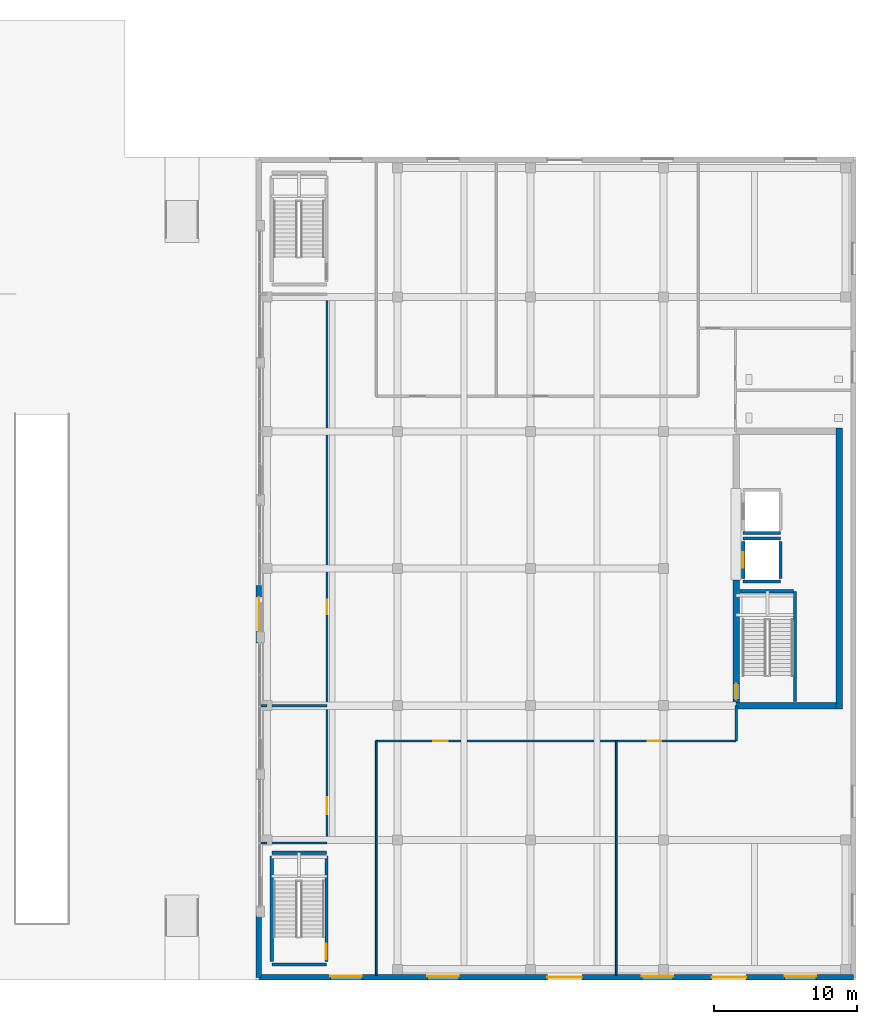
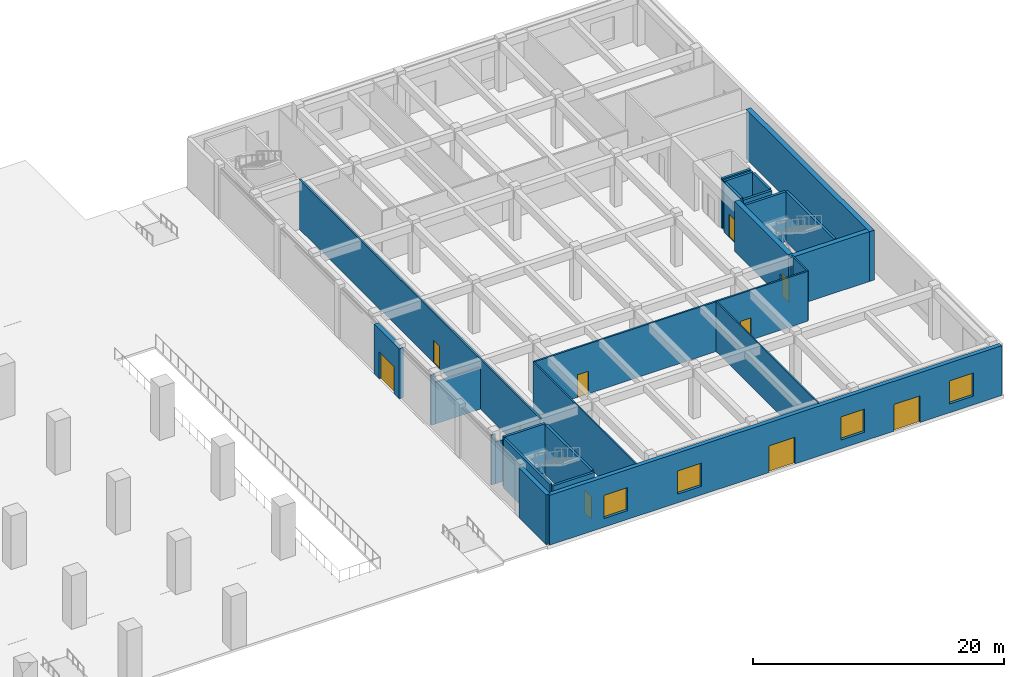
# One storey, part 6 of 24: 26 walls, 10 doors, 4 windows, 14 openings.
"""IFC4 building model written with IfcOpenShell, lengths in metres."""

import ifcopenshell
import ifcopenshell.guid

model = None  # the IFC model being written
_history = None  # IfcOwnerHistory: only IFC2X3 demands one
_inside = {}  # id of a spatial element -> (the spatial element, [elements in it])
_under = {}  # id of a project, library or spatial element -> (it, [spatial elements below it])
_declared = {}  # id of a project -> (the project, [libraries it declares])
_typed = {}  # id of a type object -> (the type object, [elements of that type])
_made_of = {}  # id of a material, layer set ... -> (it, [elements and type objects made of it])


def new_model(schema):
    """Start an empty IFC model of exactly this schema.

    Asked for "IFC4X3", IfcOpenShell would pick the latest addendum, in which some entities
    have other attributes; the version numbers below select the first issue.
    IFC2X3 requires an IfcOwnerHistory on every rooted entity: one is made here for all.
    """
    global model, _history
    if schema == "IFC4X3":
        model = ifcopenshell.file(schema_version=(4, 3, 0, 0))
    else:
        model = ifcopenshell.file(schema=schema)
    _inside.clear()
    _under.clear()
    _declared.clear()
    _typed.clear()
    _made_of.clear()
    _history = None
    if model.schema == "IFC2X3":
        org = make("IfcOrganization", Name="unknown")
        user = make(
            "IfcPersonAndOrganization",
            ThePerson=make("IfcPerson", FamilyName="unknown"),
            TheOrganization=org,
        )
        app = make(
            "IfcApplication",
            ApplicationDeveloper=org,
            Version="unknown",
            ApplicationFullName="unknown",
            ApplicationIdentifier="unknown",
        )
        _history = make(
            "IfcOwnerHistory",
            OwningUser=user,
            OwningApplication=app,
            ChangeAction="ADDED",
            CreationDate=0,
        )
    return model


def make(cls, **values):
    """One entity of the class cls with the attributes given. An attribute that is None is left unset."""
    return model.create_entity(
        cls, **{name: value for name, value in values.items() if value is not None}
    )


def rooted(cls, **values):
    """An entity with a GlobalId (a new one), such as an element, a storey or a relation."""
    return make(cls, GlobalId=ifcopenshell.guid.new(), OwnerHistory=_history, **values)


def si_unit(unit_type, name, prefix=None):
    """IfcSIUnit, for example si_unit("LENGTHUNIT", "METRE", prefix="MILLI")."""
    return make("IfcSIUnit", UnitType=unit_type, Prefix=prefix, Name=name)


def assignment(units):
    """IfcUnitAssignment: the units of a project."""
    return None if units is None else make("IfcUnitAssignment", Units=units)


def point(xyz):
    """IfcCartesianPoint."""
    return None if xyz is None else make("IfcCartesianPoint", Coordinates=xyz)


def direction(xyz):
    """IfcDirection."""
    return None if xyz is None else make("IfcDirection", DirectionRatios=xyz)


def frame(location, z_axis=None, x_axis=None):
    """IfcAxis2Placement3D, a coordinate frame: its origin and axes. An axis left out is left unset."""
    return make(
        "IfcAxis2Placement3D",
        Location=point(location),
        Axis=direction(z_axis),
        RefDirection=direction(x_axis),
    )


def frame_2d(location, x_axis=None):
    """IfcAxis2Placement2D, a coordinate frame in the plane: its origin and x axis."""
    return make(
        "IfcAxis2Placement2D", Location=point(location), RefDirection=direction(x_axis)
    )


def origin():
    """The frame at (0, 0, 0) with its axes left unset."""
    return frame((0.0, 0.0, 0.0))


def place(relative_to, where):
    """IfcLocalPlacement: puts the frame where relative to a parent placement (None: the world)."""
    return make(
        "IfcLocalPlacement", PlacementRelTo=relative_to, RelativePlacement=where
    )


def context(
    kind, dimensions, precision=None, world=None, true_north=None, identifier=None
):
    """IfcGeometricRepresentationContext, for example the 3D "Model" context."""
    return make(
        "IfcGeometricRepresentationContext",
        ContextIdentifier=identifier,
        ContextType=kind,
        CoordinateSpaceDimension=dimensions,
        Precision=precision,
        WorldCoordinateSystem=world,
        TrueNorth=true_north,
    )


def subcontext(parent, identifier, kind, view, scale=None):
    """IfcGeometricRepresentationSubContext, for example "Body" below "Model"."""
    return make(
        "IfcGeometricRepresentationSubContext",
        ContextIdentifier=identifier,
        ContextType=kind,
        ParentContext=parent,
        TargetScale=scale,
        TargetView=view,
    )


def project(units=None, contexts=None):
    """IfcProject with its units and contexts."""
    return rooted(
        "IfcProject",
        Name="project",
        RepresentationContexts=contexts,
        UnitsInContext=assignment(units),
    )


def spatial(cls, under=None, at=None, **own):
    """A site, building, storey or space (cls), placed at a placement, below another one or the project."""
    s = rooted(cls, ObjectPlacement=at, **own)
    if under is not None:
        _under.setdefault(under.id(), (under, []))[1].append(s)
    return s


def profile(cls, at=None, kind="AREA", **sizes):
    """A parametric profile (cls). Its sizes go by their IFC names, for example OverallWidth=200.0."""
    return make(cls, ProfileType=kind, Position=at, **sizes)


def rectangle(**sizes):
    """IfcRectangleProfileDef."""
    return profile("IfcRectangleProfileDef", **sizes)


def extrude(swept, where, along, depth):
    """IfcExtrudedAreaSolid: the profile swept, set in the frame where, extruded along a direction by depth."""
    return make(
        "IfcExtrudedAreaSolid",
        SweptArea=swept,
        Position=where,
        ExtrudedDirection=direction(along),
        Depth=depth,
    )


def shape(context_of_items, identifier, shape_type, items):
    """IfcShapeRepresentation: the items that make up one representation, for example the "Body"."""
    return make(
        "IfcShapeRepresentation",
        ContextOfItems=context_of_items,
        RepresentationIdentifier=identifier,
        RepresentationType=shape_type,
        Items=items,
    )


def material(Name=None, Category=None):
    """IfcMaterial."""
    return make("IfcMaterial", Name=Name, Category=Category)


def layer(
    of_material, thickness, ventilated=None, Name=None, Category=None, Priority=None
):
    """IfcMaterialLayer: one layer of a wall or slab, of a material (None: an air gap)."""
    return make(
        "IfcMaterialLayer",
        Material=of_material,
        LayerThickness=thickness,
        IsVentilated=ventilated,
        Name=Name,
        Category=Category,
        Priority=Priority,
    )


def layer_set(layers, Name=None):
    """IfcMaterialLayerSet."""
    return make("IfcMaterialLayerSet", MaterialLayers=layers, LayerSetName=Name)


def made_of(thing, what):
    """Note that an element or type object is made of a material, layer set ...; save() writes the relation."""
    if what is not None:
        _made_of.setdefault(what.id(), (what, []))[1].append(thing)
    return thing


def type_object(cls, material=None, **own):
    """A type object (cls), such as IfcWallType, which elements share."""
    return made_of(rooted(cls, **own), material)


def element(
    cls,
    number,
    at=None,
    inside=None,
    cuts=None,
    type_object=None,
    material=None,
    context=None,
    identifier="Body",
    shape_type=None,
    held_by="IfcProductDefinitionShape",
    body=None,
    shapes=None,
    **own,
):
    """One element of the class cls, such as IfcWall. Its Tag is "e" and its number.

    at: its placement. inside: the storey or other place that contains it. cuts: it is an
    opening in that element (IfcRelVoidsElement). A single representation is given by context,
    identifier, shape_type and body (its items); several are given by shapes. held_by: the class
    of the entity that holds the representations. save() writes the other relations.
    """
    e = rooted(cls, Tag="e%d" % number, ObjectPlacement=at, **own)
    if body is not None:
        shapes = [shape(context, identifier, shape_type, body)]
    if shapes is not None:
        e.Representation = make(held_by, Representations=shapes)
    if inside is not None:
        _inside.setdefault(inside.id(), (inside, []))[1].append(e)
    if cuts is not None:
        rooted(
            "IfcRelVoidsElement", RelatingBuildingElement=cuts, RelatedOpeningElement=e
        )
    if type_object is not None:
        _typed.setdefault(type_object.id(), (type_object, []))[1].append(e)
    return made_of(e, material)


def fill(opening, filler):
    """IfcRelFillsElement: the door or window that sits in an opening."""
    return rooted(
        "IfcRelFillsElement",
        RelatingOpeningElement=opening,
        RelatedBuildingElement=filler,
    )


def aggregate(whole, parts):
    """IfcRelAggregates: a whole, such as a stair, and the parts it consists of."""
    return rooted("IfcRelAggregates", RelatingObject=whole, RelatedObjects=parts)


def save(model, path):
    """Write the relations noted so far, then the file.

    IfcRelAggregates (storeys below a building ...), IfcRelContainedInSpatialStructure (elements
    in a storey), IfcRelDefinesByType, IfcRelAssociatesMaterial and IfcRelDeclares: one each for
    every whole, place, type object, material and project.
    """
    for whole, parts in _under.values():
        aggregate(whole, parts)
    for where, things in _inside.values():
        rooted(
            "IfcRelContainedInSpatialStructure",
            RelatedElements=things,
            RelatingStructure=where,
        )
    for kind, things in _typed.values():
        rooted("IfcRelDefinesByType", RelatedObjects=things, RelatingType=kind)
    for what, things in _made_of.values():
        rooted("IfcRelAssociatesMaterial", RelatedObjects=things, RelatingMaterial=what)
    for by, libraries in _declared.values():
        rooted("IfcRelDeclares", RelatingContext=by, RelatedDefinitions=libraries)
    model.write(path)


model = new_model("IFC4")

# Units and contexts
model_context = context("Model", 3, precision=1e-05, world=origin(), true_north=direction((0.0, 1.0)))
body_context = subcontext(model_context, "Body", "Model", "MODEL_VIEW")
ifc_project = project(units=[si_unit("LENGTHUNIT", "METRE"), si_unit("AREAUNIT", "SQUARE_METRE"), si_unit("VOLUMEUNIT", "CUBIC_METRE"), si_unit("PLANEANGLEUNIT", "RADIAN"), si_unit("MASSUNIT", "GRAM", prefix="KILO")], contexts=[model_context])

# Site, building, storey
site_placement = place(None, origin())
site = spatial("IfcSite", under=ifc_project, at=site_placement, CompositionType="ELEMENT")
building_placement = place(site_placement, origin())
building = spatial("IfcBuilding", under=site, at=building_placement, Name="Norrvale University Quadrangle", CompositionType="ELEMENT")
storey_placement = place(building_placement, origin())
storey = spatial("IfcBuildingStorey", under=building, at=storey_placement, Name="L00", CompositionType="ELEMENT", Elevation=0.0)

# Walls
ifc_material_1 = material(Name="Standard Academic Gypsum Partition")
ifc_layer_1 = layer(ifc_material_1, 0.125, Name="Standard Academic Gypsum Partition")
ifc_layer_set_1 = layer_set([ifc_layer_1], Name="Standard Academic Gypsum Partition")
wall_type_1 = type_object("IfcWallType", Name="Wall Gypsum Academic 125", PredefinedType="PARTITIONING", material=ifc_layer_set_1)
for number, where, z_axis, x_axis, name in (
    (1, (93.60009765625, 0.35009765625, 0.0), (0.0, 0.0, 1.0), (0.0, 1.0, 0.0), "Interior Partition WL-L00-LSS-W"),
    (2, (110.39990234375, 0.35009765625, 0.0), (0.0, 0.0, 1.0), (0.0, 1.0, 0.0), "Interior Partition WL-L00-LSS-M"),
):
    element("IfcWall", number, at=place(storey_placement, frame(where, z_axis=z_axis, x_axis=x_axis)), inside=storey, type_object=wall_type_1, Name=name, PredefinedType="PARTITIONING", context=body_context, shape_type="SweptSolid", body=[
        extrude(rectangle(XDim=16.389892578125, YDim=0.125, at=frame_2d((8.19482421875, 0.0))), origin(), (0.0, 0.0, 1.0), 4.85009765625),
    ])
ifc_material_2 = material(Name="Fire-Rated Gypsum Stud Partition")
ifc_layer_2 = layer(ifc_material_2, 0.14990234375, Name="Fire-Rated Gypsum Stud Partition")
ifc_layer_set_2 = layer_set([ifc_layer_2], Name="Fire-Rated Gypsum Stud Partition")
wall_type_2 = type_object("IfcWallType", Name="Wall Gypsum Corridor 150", PredefinedType="PARTITIONING", material=ifc_layer_set_2)
wall_1_placement = place(storey_placement, frame((85.550048828125, 9.60009765625, 0.0), z_axis=(0.0, 0.0, 1.0), x_axis=(1.0, 0.0, 0.0)))
element("IfcWall", 3, at=wall_1_placement, inside=storey, type_object=wall_type_2, Name="Interior Partition WL-L00-CACF-S", PredefinedType="PARTITIONING", context=body_context, shape_type="SweptSolid", body=[
    extrude(rectangle(XDim=0.39990234375, YDim=0.14990234375, at=frame_2d((0.199951171875, 0.0))), origin(), (0.0, 0.0, 1.0), 4.85009765625),
])
wall_2_placement = place(storey_placement, frame((85.949951171875, 9.60009765625, 0.0), z_axis=(0.0, 0.0, 1.0), x_axis=(1.0, 0.0, 0.0)))
element("IfcWall", 4, at=wall_2_placement, inside=storey, type_object=wall_type_2, Name="Interior Partition WL-L00-CACF-S-B2", PredefinedType="PARTITIONING", context=body_context, shape_type="SweptSolid", body=[
    extrude(rectangle(XDim=4.199951171875, YDim=0.14990234375, at=frame_2d((2.10009765625, 0.0))), origin(), (0.0, 0.0, 1.0), 4.050048828125),
])
wall_3_placement = place(storey_placement, frame((85.550048828125, 19.199951171875, 0.0), z_axis=(0.0, 0.0, 1.0), x_axis=(1.0, 0.0, 0.0)))
element("IfcWall", 5, at=wall_3_placement, inside=storey, type_object=wall_type_2, Name="Interior Partition WL-L00-CACF-N", PredefinedType="PARTITIONING", context=body_context, shape_type="SweptSolid", body=[
    extrude(rectangle(XDim=0.39990234375, YDim=0.14990234375, at=frame_2d((0.199951171875, 0.0))), origin(), (0.0, 0.0, 1.0), 4.85009765625),
])
wall_4_placement = place(storey_placement, frame((85.949951171875, 19.199951171875, 0.0), z_axis=(0.0, 0.0, 1.0), x_axis=(1.0, 0.0, 0.0)))
element("IfcWall", 6, at=wall_4_placement, inside=storey, type_object=wall_type_2, Name="Interior Partition WL-L00-CACF-N-B2", PredefinedType="PARTITIONING", context=body_context, shape_type="SweptSolid", body=[
    extrude(rectangle(XDim=4.199951171875, YDim=0.14990234375, at=frame_2d((2.10009765625, 0.0))), origin(), (0.0, 0.0, 1.0), 4.050048828125),
])

# Wall, openings, doors
wall_5_placement = place(storey_placement, frame((90.14990234375, 9.60009765625, 0.0), z_axis=(0.0, 0.0, 1.0), x_axis=(0.0, 1.0, 0.0)))
wall_5 = element("IfcWall", 7, at=wall_5_placement, inside=storey, type_object=wall_type_2, Name="Interior Partition WL-L00-WCOL", PredefinedType="PARTITIONING", context=body_context, shape_type="SweptSolid", body=[
    extrude(rectangle(XDim=38.39990234375, YDim=0.14990234375, at=frame_2d((19.199951171875, 0.0))), origin(), (0.0, 0.0, 1.0), 4.85009765625),
])
opening_1_placement = place(wall_5_placement, frame((2.0, 0.0, 0.0)))
opening_1 = element("IfcOpeningElement", 8, at=opening_1_placement, cuts=wall_5, Name="Opening D05", PredefinedType="OPENING", context=body_context, shape_type="SweptSolid", body=[
    extrude(rectangle(XDim=1.199951171875, YDim=2.199951171875, at=frame_2d((0.60009765625, 1.10009765625))), frame((0.0, 0.0869140625, 0.0), z_axis=(0.0, -1.0, 0.0), x_axis=(1.0, 0.0, 0.0)), (0.0, 0.0, 1.0), 0.173828125),
])
opening_2_placement = place(wall_5_placement, frame((16.0, 0.0, 0.0)))
opening_2 = element("IfcOpeningElement", 9, at=opening_2_placement, cuts=wall_5, Name="Opening D04", PredefinedType="OPENING", context=body_context, shape_type="SweptSolid", body=[
    extrude(rectangle(XDim=1.0, YDim=2.199951171875, at=frame_2d((0.5, 1.10009765625))), frame((0.0, 0.0869140625, 0.0), z_axis=(0.0, -1.0, 0.0), x_axis=(1.0, 0.0, 0.0)), (0.0, 0.0, 1.0), 0.173828125),
])
ifc_material_3 = material(Name="Acoustic Oak Classroom Door", Category="wood")
door_type_1 = type_object("IfcDoorType", Name="Door Classroom 1200x2200", OperationType="NOTDEFINED", PredefinedType="DOOR", material=ifc_material_3)
door_1_placement = place(opening_1_placement, origin())
door_1 = element("IfcDoor", 10, at=door_1_placement, inside=storey, type_object=door_type_1, Name="Door Classroom 1200x2200 DR-L00-CACF", OperationType="SINGLE_SWING_LEFT", OverallHeight=2.199951171875, OverallWidth=1.199951171875, PredefinedType="DOOR", context=body_context, shape_type="SweptSolid", body=[
    extrude(rectangle(XDim=1.199951171875, YDim=2.199951171875, at=frame_2d((0.60009765625, 1.10009765625))), frame((0.0, 0.02490234375, 0.0), z_axis=(0.0, -1.0, 0.0), x_axis=(1.0, 0.0, 0.0)), (0.0, 0.0, 1.0), 0.050048828125),
])
fill(opening_1, door_1)
ifc_material_4 = material(Name="Solid-Core Oak Fire Door", Category="wood")
door_type_2 = type_object("IfcDoorType", Name="Door Corridor 1000x2200", OperationType="NOTDEFINED", PredefinedType="DOOR", material=ifc_material_4)
door_2_placement = place(opening_2_placement, origin())
door_2 = element("IfcDoor", 11, at=door_2_placement, inside=storey, type_object=door_type_2, Name="Door Corridor 1000x2200 DR-L00-CIRC", OperationType="SINGLE_SWING_RIGHT", OverallHeight=2.199951171875, OverallWidth=1.0, PredefinedType="DOOR", context=body_context, shape_type="SweptSolid", body=[
    extrude(rectangle(XDim=1.0, YDim=2.199951171875, at=frame_2d((0.5, 1.10009765625))), frame((0.0, 0.02490234375, 0.0), z_axis=(0.0, -1.0, 0.0), x_axis=(1.0, 0.0, 0.0)), (0.0, 0.0, 1.0), 0.050048828125),
])
fill(opening_2, door_2)

# Wall
wall_6_placement = place(storey_placement, frame((118.800048828125, 16.739990234375, 0.0), z_axis=(0.0, 0.0, 1.0), x_axis=(0.0, 1.0, 0.0)))
element("IfcWall", 12, at=wall_6_placement, inside=storey, type_object=wall_type_2, Name="Interior Partition WL-L00-LSS-E", PredefinedType="PARTITIONING", context=body_context, shape_type="SweptSolid", body=[
    extrude(rectangle(XDim=2.4599609375, YDim=0.14990234375, at=frame_2d((1.22998046875, 0.0))), origin(), (0.0, 0.0, 1.0), 4.85009765625),
])

# Wall, openings, doors
wall_7_placement = place(storey_placement, frame((93.60009765625, 16.739990234375, 0.0), z_axis=(0.0, 0.0, 1.0), x_axis=(1.0, 0.0, 0.0)))
wall_7 = element("IfcWall", 13, at=wall_7_placement, inside=storey, type_object=wall_type_2, Name="Interior Partition WL-L00-LSS-N", PredefinedType="PARTITIONING", context=body_context, shape_type="SweptSolid", body=[
    extrude(rectangle(XDim=25.199951171875, YDim=0.14990234375, at=frame_2d((12.60009765625, 0.0))), origin(), (0.0, 0.0, 1.0), 4.85009765625),
])
opening_3_placement = place(wall_7_placement, frame((4.0, 0.0, 0.0)))
opening_3 = element("IfcOpeningElement", 14, at=opening_3_placement, cuts=wall_7, Name="Opening D04", PredefinedType="OPENING", context=body_context, shape_type="SweptSolid", body=[
    extrude(rectangle(XDim=1.0, YDim=2.199951171875, at=frame_2d((0.5, 1.10009765625))), frame((0.0, 0.0869140625, 0.0), z_axis=(0.0, -1.0, 0.0), x_axis=(1.0, 0.0, 0.0)), (0.0, 0.0, 1.0), 0.173828125),
])
opening_4_placement = place(wall_7_placement, frame((19.0, 0.0, 0.0)))
opening_4 = element("IfcOpeningElement", 15, at=opening_4_placement, cuts=wall_7, Name="Opening D07", PredefinedType="OPENING", context=body_context, shape_type="SweptSolid", body=[
    extrude(rectangle(XDim=0.949951171875, YDim=2.14990234375, at=frame_2d((0.47509765625, 1.074951171875))), frame((0.0, 0.0869140625, 0.0), z_axis=(0.0, -1.0, 0.0), x_axis=(1.0, 0.0, 0.0)), (0.0, 0.0, 1.0), 0.173828125),
])
door_3_placement = place(opening_3_placement, origin())
door_3 = element("IfcDoor", 16, at=door_3_placement, inside=storey, type_object=door_type_2, Name="Door Corridor 1000x2200 DR-L00-LS1", OperationType="SINGLE_SWING_LEFT", OverallHeight=2.199951171875, OverallWidth=1.0, PredefinedType="DOOR", context=body_context, shape_type="SweptSolid", body=[
    extrude(rectangle(XDim=1.0, YDim=2.199951171875, at=frame_2d((0.5, 1.10009765625))), frame((0.0, 0.02490234375, 0.0), z_axis=(0.0, -1.0, 0.0), x_axis=(1.0, 0.0, 0.0)), (0.0, 0.0, 1.0), 0.050048828125),
])
fill(opening_3, door_3)
ifc_material_5 = material(Name="Solid-Core Maple Door", Category="wood")
door_type_3 = type_object("IfcDoorType", Name="Door Office 950x2150", OperationType="NOTDEFINED", PredefinedType="DOOR", material=ifc_material_5)
door_4_placement = place(opening_4_placement, origin())
door_4 = element("IfcDoor", 17, at=door_4_placement, inside=storey, type_object=door_type_3, Name="Door Office 950x2150 DR-L00-LS2", OperationType="SINGLE_SWING_RIGHT", OverallHeight=2.14990234375, OverallWidth=0.949951171875, PredefinedType="DOOR", context=body_context, shape_type="SweptSolid", body=[
    extrude(rectangle(XDim=0.949951171875, YDim=2.14990234375, at=frame_2d((0.47509765625, 1.074951171875))), frame((0.0, 0.02490234375, 0.0), z_axis=(0.0, -1.0, 0.0), x_axis=(1.0, 0.0, 0.0)), (0.0, 0.0, 1.0), 0.050048828125),
])
fill(opening_4, door_4)

# Wall, openings, doors, windows
ifc_material_6 = material(Name="Buff Norman Clay Brick Masonry", Category="masonry")
ifc_layer_3 = layer(ifc_material_6, 0.3798828125, Name="Buff Norman Clay Brick Masonry")
ifc_layer_set_3 = layer_set([ifc_layer_3], Name="Buff Norman Clay Brick Masonry")
wall_type_3 = type_object("IfcWallType", Name="Wall Lib Brick 380", PredefinedType="SOLIDWALL", material=ifc_layer_set_3)
wall_8_placement = place(storey_placement, frame((85.389892578125, 0.18994140625, 0.0), z_axis=(0.0, 0.0, 1.0), x_axis=(1.0, 0.0, 0.0)))
wall_8 = element("IfcWall", 18, at=wall_8_placement, inside=storey, type_object=wall_type_3, Name="Central Library South Brick Facade L00", PredefinedType="SOLIDWALL", context=body_context, shape_type="SweptSolid", body=[
    extrude(rectangle(XDim=41.6201171875, YDim=0.3798828125, at=frame_2d((20.81005859375, 0.0))), origin(), (0.0, 0.0, 1.0), 4.85009765625),
])
opening_5_placement = place(wall_8_placement, frame((5.0, 0.0, 0.85009765625)))
opening_5 = element("IfcOpeningElement", 19, at=opening_5_placement, cuts=wall_8, Name="Opening W06", PredefinedType="OPENING", context=body_context, shape_type="SweptSolid", body=[
    extrude(rectangle(XDim=2.199951171875, YDim=2.25, at=frame_2d((1.10009765625, 1.125))), frame((0.0, 0.201904296875, 0.0), z_axis=(0.0, -1.0, 0.0), x_axis=(1.0, 0.0, 0.0)), (0.0, 0.0, 1.0), 0.40380859375),
])
opening_6_placement = place(wall_8_placement, frame((11.800048828125, 0.0, 0.85009765625)))
opening_6 = element("IfcOpeningElement", 20, at=opening_6_placement, cuts=wall_8, Name="Opening W06", PredefinedType="OPENING", context=body_context, shape_type="SweptSolid", body=[
    extrude(rectangle(XDim=2.199951171875, YDim=2.25, at=frame_2d((1.10009765625, 1.125))), frame((0.0, 0.201904296875, 0.0), z_axis=(0.0, -1.0, 0.0), x_axis=(1.0, 0.0, 0.0)), (0.0, 0.0, 1.0), 0.40380859375),
])
opening_7_placement = place(wall_8_placement, frame((20.199951171875, 0.0, 0.0)))
opening_7 = element("IfcOpeningElement", 21, at=opening_7_placement, cuts=wall_8, Name="Opening D01", PredefinedType="OPENING", context=body_context, shape_type="SweptSolid", body=[
    extrude(rectangle(XDim=2.39990234375, YDim=2.60009765625, at=frame_2d((1.199951171875, 1.300048828125))), frame((0.0, 0.201904296875, 0.0), z_axis=(0.0, -1.0, 0.0), x_axis=(1.0, 0.0, 0.0)), (0.0, 0.0, 1.0), 0.40380859375),
])
opening_8_placement = place(wall_8_placement, frame((26.800048828125, 0.0, 0.85009765625)))
opening_8 = element("IfcOpeningElement", 22, at=opening_8_placement, cuts=wall_8, Name="Opening W06", PredefinedType="OPENING", context=body_context, shape_type="SweptSolid", body=[
    extrude(rectangle(XDim=2.199951171875, YDim=2.25, at=frame_2d((1.10009765625, 1.125))), frame((0.0, 0.201904296875, 0.0), z_axis=(0.0, -1.0, 0.0), x_axis=(1.0, 0.0, 0.0)), (0.0, 0.0, 1.0), 0.40380859375),
])
opening_9_placement = place(wall_8_placement, frame((36.800048828125, 0.0, 0.85009765625)))
opening_9 = element("IfcOpeningElement", 23, at=opening_9_placement, cuts=wall_8, Name="Opening W06", PredefinedType="OPENING", context=body_context, shape_type="SweptSolid", body=[
    extrude(rectangle(XDim=2.199951171875, YDim=2.25, at=frame_2d((1.10009765625, 1.125))), frame((0.0, 0.201904296875, 0.0), z_axis=(0.0, -1.0, 0.0), x_axis=(1.0, 0.0, 0.0)), (0.0, 0.0, 1.0), 0.40380859375),
])
opening_10_placement = place(wall_8_placement, frame((31.699951171875, 0.0, 0.0)))
opening_10 = element("IfcOpeningElement", 24, at=opening_10_placement, cuts=wall_8, Name="Opening D01", PredefinedType="OPENING", context=body_context, shape_type="SweptSolid", body=[
    extrude(rectangle(XDim=2.39990234375, YDim=2.60009765625, at=frame_2d((1.199951171875, 1.300048828125))), frame((0.0, 0.201904296875, 0.0), z_axis=(0.0, -1.0, 0.0), x_axis=(1.0, 0.0, 0.0)), (0.0, 0.0, 1.0), 0.40380859375),
])
ifc_material_7 = material(Name="Anodized Aluminium Glazed Door", Category="aluminium")
door_type_4 = type_object("IfcDoorType", Name="Door Main Entry 2400x2600", OperationType="DOUBLE_SWING_LEFT", PredefinedType="DOOR", material=ifc_material_7)
door_5_placement = place(opening_7_placement, frame((2.39990234375, 0.0, 0.0), z_axis=(0.0, 0.0, 1.0), x_axis=(-1.0, 0.0, 0.0)))
door_5 = element("IfcDoor", 25, at=door_5_placement, inside=storey, type_object=door_type_4, Name="Door Main Entry 2400x2600 DR-L00-LIBS", OperationType="DOUBLE_SWING_LEFT", OverallHeight=2.60009765625, OverallWidth=2.39990234375, PredefinedType="DOOR", context=body_context, shape_type="SweptSolid", body=[
    extrude(rectangle(XDim=2.39990234375, YDim=2.60009765625, at=frame_2d((1.199951171875, 1.300048828125))), frame((0.0, 0.02490234375, 0.0), z_axis=(0.0, -1.0, 0.0), x_axis=(1.0, 0.0, 0.0)), (0.0, 0.0, 1.0), 0.050048828125),
])
fill(opening_7, door_5)
door_6_placement = place(opening_10_placement, frame((2.39990234375, 0.0, 0.0), z_axis=(0.0, 0.0, 1.0), x_axis=(-1.0, 0.0, 0.0)))
door_6 = element("IfcDoor", 26, at=door_6_placement, inside=storey, type_object=door_type_4, Name="Door Main Entry 2400x2600 DR-L00-LIBS2", OperationType="DOUBLE_SWING_LEFT", OverallHeight=2.60009765625, OverallWidth=2.39990234375, PredefinedType="DOOR", context=body_context, shape_type="SweptSolid", body=[
    extrude(rectangle(XDim=2.39990234375, YDim=2.60009765625, at=frame_2d((1.199951171875, 1.300048828125))), frame((0.0, 0.02490234375, 0.0), z_axis=(0.0, -1.0, 0.0), x_axis=(1.0, 0.0, 0.0)), (0.0, 0.0, 1.0), 0.050048828125),
])
fill(opening_10, door_6)
ifc_material_8 = material(Name="Bird-Friendly Fritted Triple Glazing", Category="glass")
window_type = type_object("IfcWindowType", Name="Window Library 2200x2600", PartitioningType="DOUBLE_PANEL_VERTICAL", PredefinedType="WINDOW", material=ifc_material_8)
window_1_placement = place(opening_5_placement, origin())
window_1 = element("IfcWindow", 27, at=window_1_placement, inside=storey, type_object=window_type, Name="Window Library 2200x2600 WIN-L00-LS-01", OverallHeight=2.25, OverallWidth=2.199951171875, PartitioningType="DOUBLE_PANEL_VERTICAL", PredefinedType="WINDOW", context=body_context, shape_type="SweptSolid", body=[
    extrude(rectangle(XDim=2.199951171875, YDim=2.25, at=frame_2d((1.10009765625, 1.125))), frame((0.0, 0.110107421875, 0.0), z_axis=(0.0, -1.0, 0.0), x_axis=(1.0, 0.0, 0.0)), (0.0, 0.0, 1.0), 0.06005859375),
])
fill(opening_5, window_1)
window_2_placement = place(opening_6_placement, origin())
window_2 = element("IfcWindow", 28, at=window_2_placement, inside=storey, type_object=window_type, Name="Window Library 2200x2600 WIN-L00-LS-02", OverallHeight=2.25, OverallWidth=2.199951171875, PartitioningType="DOUBLE_PANEL_VERTICAL", PredefinedType="WINDOW", context=body_context, shape_type="SweptSolid", body=[
    extrude(rectangle(XDim=2.199951171875, YDim=2.25, at=frame_2d((1.10009765625, 1.125))), frame((0.0, 0.110107421875, 0.0), z_axis=(0.0, -1.0, 0.0), x_axis=(1.0, 0.0, 0.0)), (0.0, 0.0, 1.0), 0.06005859375),
])
fill(opening_6, window_2)
window_3_placement = place(opening_8_placement, origin())
window_3 = element("IfcWindow", 29, at=window_3_placement, inside=storey, type_object=window_type, Name="Window Library 2200x2600 WIN-L00-LS-04", OverallHeight=2.25, OverallWidth=2.199951171875, PartitioningType="DOUBLE_PANEL_VERTICAL", PredefinedType="WINDOW", context=body_context, shape_type="SweptSolid", body=[
    extrude(rectangle(XDim=2.199951171875, YDim=2.25, at=frame_2d((1.10009765625, 1.125))), frame((0.0, 0.110107421875, 0.0), z_axis=(0.0, -1.0, 0.0), x_axis=(1.0, 0.0, 0.0)), (0.0, 0.0, 1.0), 0.06005859375),
])
fill(opening_8, window_3)
window_4_placement = place(opening_9_placement, origin())
window_4 = element("IfcWindow", 30, at=window_4_placement, inside=storey, type_object=window_type, Name="Window Library 2200x2600 WIN-L00-LS-05", OverallHeight=2.25, OverallWidth=2.199951171875, PartitioningType="DOUBLE_PANEL_VERTICAL", PredefinedType="WINDOW", context=body_context, shape_type="SweptSolid", body=[
    extrude(rectangle(XDim=2.199951171875, YDim=2.25, at=frame_2d((1.10009765625, 1.125))), frame((0.0, 0.110107421875, 0.0), z_axis=(0.0, -1.0, 0.0), x_axis=(1.0, 0.0, 0.0)), (0.0, 0.0, 1.0), 0.06005859375),
])
fill(opening_9, window_4)

# Wall
wall_9_placement = place(storey_placement, frame((85.389892578125, 0.18994140625, 0.0), z_axis=(0.0, 0.0, 1.0), x_axis=(0.0, 1.0, 0.0)))
element("IfcWall", 31, at=wall_9_placement, inside=storey, type_object=wall_type_3, Name="Library West Corner Pier South L00", PredefinedType="SOLIDWALL", context=body_context, shape_type="SweptSolid", body=[
    extrude(rectangle(XDim=4.31005859375, YDim=0.3798828125, at=frame_2d((2.155029296875, 0.0))), origin(), (0.0, 0.0, 1.0), 4.85009765625),
])

# Wall, opening, door
wall_10_placement = place(storey_placement, frame((85.389892578125, 23.60009765625, 0.0), z_axis=(0.0, 0.0, 1.0), x_axis=(0.0, 1.0, 0.0)))
wall_10 = element("IfcWall", 32, at=wall_10_placement, inside=storey, type_object=wall_type_3, Name="Central Library Quadrangle Entrance Portal", PredefinedType="SOLIDWALL", context=body_context, shape_type="SweptSolid", body=[
    extrude(rectangle(XDim=4.0, YDim=0.3798828125, at=frame_2d((2.0, 0.0))), origin(), (0.0, 0.0, 1.0), 4.85009765625),
])
opening_11_placement = place(wall_10_placement, frame((0.800048828125, 0.0, 0.0)))
opening_11 = element("IfcOpeningElement", 33, at=opening_11_placement, cuts=wall_10, Name="Opening D01", PredefinedType="OPENING", context=body_context, shape_type="SweptSolid", body=[
    extrude(rectangle(XDim=2.39990234375, YDim=2.60009765625, at=frame_2d((1.199951171875, 1.300048828125))), frame((0.0, 0.201904296875, 0.0), z_axis=(0.0, -1.0, 0.0), x_axis=(1.0, 0.0, 0.0)), (0.0, 0.0, 1.0), 0.40380859375),
])
door_7_placement = place(opening_11_placement, origin())
door_7 = element("IfcDoor", 34, at=door_7_placement, inside=storey, type_object=door_type_4, Name="Door Main Entry 2400x2600 DR-L00-LIBMAIN", OperationType="DOUBLE_SWING_LEFT", OverallHeight=2.60009765625, OverallWidth=2.39990234375, PredefinedType="DOOR", context=body_context, shape_type="SweptSolid", body=[
    extrude(rectangle(XDim=2.39990234375, YDim=2.60009765625, at=frame_2d((1.199951171875, 1.300048828125))), frame((0.0, 0.02490234375, 0.0), z_axis=(0.0, -1.0, 0.0), x_axis=(1.0, 0.0, 0.0)), (0.0, 0.0, 1.0), 0.050048828125),
])
fill(opening_11, door_7)

# Walls
ifc_material_9 = material(Name="Concrete C60/75", Category="concrete")
ifc_layer_4 = layer(ifc_material_9, 0.449951171875, Name="Concrete C60/75")
ifc_layer_set_4 = layer_set([ifc_layer_4], Name="Concrete C60/75")
wall_type_4 = type_object("IfcWallType", Name="Wall Lib Core 450", PredefinedType="SHEAR", material=ifc_layer_set_4)
wall_11_placement = place(storey_placement, frame((118.574951171875, 19.199951171875, 0.0), z_axis=(0.0, 0.0, 1.0), x_axis=(1.0, 0.0, 0.0)))
element("IfcWall", 35, at=wall_11_placement, inside=storey, type_object=wall_type_4, Name="Library Core Shear Wall L00-S", PredefinedType="SHEAR", context=body_context, shape_type="SweptSolid", body=[
    extrude(rectangle(XDim=7.199951171875, YDim=0.449951171875, at=frame_2d((3.60009765625, 0.0))), origin(), (0.0, 0.0, 1.0), 4.85009765625),
])
wall_12_placement = place(storey_placement, frame((126.0, 18.97509765625, 0.0), z_axis=(0.0, 0.0, 1.0), x_axis=(0.0, 1.0, 0.0)))
element("IfcWall", 36, at=wall_12_placement, inside=storey, type_object=wall_type_4, Name="Library Core Shear Wall L00-E", PredefinedType="SHEAR", context=body_context, shape_type="SweptSolid", body=[
    extrude(rectangle(XDim=19.64990234375, YDim=0.449951171875, at=frame_2d((9.824951171875, 0.0))), origin(), (0.0, 0.0, 1.0), 4.85009765625),
])

# Wall, opening, door
wall_13_placement = place(storey_placement, frame((118.800048828125, 19.425048828125, 0.0), z_axis=(0.0, 0.0, 1.0), x_axis=(0.0, 1.0, 0.0)))
wall_13 = element("IfcWall", 37, at=wall_13_placement, inside=storey, type_object=wall_type_4, Name="Library Core Shear Wall L00-W1", PredefinedType="SHEAR", context=body_context, shape_type="SweptSolid", body=[
    extrude(rectangle(XDim=8.574951171875, YDim=0.449951171875, at=frame_2d((4.28759765625, 0.0))), origin(), (0.0, 0.0, 1.0), 4.85009765625),
])
opening_12_placement = place(wall_13_placement, frame((0.219970703125, 0.0, 0.0)))
opening_12 = element("IfcOpeningElement", 38, at=opening_12_placement, cuts=wall_13, Name="Opening D02", PredefinedType="OPENING", context=body_context, shape_type="SweptSolid", body=[
    extrude(rectangle(XDim=1.10009765625, YDim=2.199951171875, at=frame_2d((0.550048828125, 1.10009765625))), frame((0.0, 0.237060546875, 0.0), z_axis=(0.0, -1.0, 0.0), x_axis=(1.0, 0.0, 0.0)), (0.0, 0.0, 1.0), 0.473876953125),
])
ifc_material_10 = material(Name="Hollow Steel 350W Fire Door", Category="steel")
door_type_5 = type_object("IfcDoorType", Name="Door Stair Exit 1100x2200", OperationType="NOTDEFINED", PredefinedType="DOOR", material=ifc_material_10)
door_8_placement = place(opening_12_placement, origin())
door_8 = element("IfcDoor", 39, at=door_8_placement, inside=storey, type_object=door_type_5, Name="Door Stair Exit 1100x2200 DR-L00-STL1", OperationType="SINGLE_SWING_LEFT", OverallHeight=2.199951171875, OverallWidth=1.10009765625, PredefinedType="DOOR", context=body_context, shape_type="SweptSolid", body=[
    extrude(rectangle(XDim=1.10009765625, YDim=2.199951171875, at=frame_2d((0.550048828125, 1.10009765625))), frame((0.0, 0.02490234375, 0.0), z_axis=(0.0, -1.0, 0.0), x_axis=(1.0, 0.0, 0.0)), (0.0, 0.0, 1.0), 0.050048828125),
])
fill(opening_12, door_8)

# Walls
ifc_material_11 = material(Name="Concrete Blockwork 20 MPa Fire Shaft", Category="masonry")
ifc_layer_5 = layer(ifc_material_11, 0.219970703125, Name="Concrete Blockwork 20 MPa Fire Shaft")
ifc_layer_set_5 = layer_set([ifc_layer_5], Name="Concrete Blockwork 20 MPa Fire Shaft")
wall_type_5 = type_object("IfcWallType", Name="Wall Shaft 220", PredefinedType="SOLIDWALL", material=ifc_layer_set_5)
wall_14_placement = place(storey_placement, frame((122.909912109375, 19.5, 0.0), z_axis=(0.0, 0.0, 1.0), x_axis=(0.0, 1.0, 0.0)))
element("IfcWall", 40, at=wall_14_placement, inside=storey, type_object=wall_type_5, Name="Library Stair ST-L1 East Wall L00", PredefinedType="SOLIDWALL", context=body_context, shape_type="SweptSolid", body=[
    extrude(rectangle(XDim=7.7099609375, YDim=0.219970703125, at=frame_2d((3.85498046875, 0.0))), origin(), (0.0, 0.0, 1.0), 4.85009765625),
])
wall_15_placement = place(storey_placement, frame((119.050048828125, 27.2099609375, 0.0), z_axis=(0.0, 0.0, 1.0), x_axis=(1.0, 0.0, 0.0)))
element("IfcWall", 41, at=wall_15_placement, inside=storey, type_object=wall_type_5, Name="Library Stair ST-L1 North Wall L00", PredefinedType="SOLIDWALL", context=body_context, shape_type="SweptSolid", body=[
    extrude(rectangle(XDim=3.75, YDim=0.219970703125, at=frame_2d((1.875, 0.0))), origin(), (0.0, 0.0, 1.0), 4.85009765625),
])
wall_16_placement = place(storey_placement, frame((86.2900390625, 1.31005859375, 0.0), z_axis=(0.0, 0.0, 1.0), x_axis=(0.0, 1.0, 0.0)))
element("IfcWall", 42, at=wall_16_placement, inside=storey, type_object=wall_type_5, Name="Library Stair ST-L2 West Wall L00", PredefinedType="SOLIDWALL", context=body_context, shape_type="SweptSolid", body=[
    extrude(rectangle(XDim=7.3798828125, YDim=0.219970703125, at=frame_2d((3.68994140625, 0.0))), origin(), (0.0, 0.0, 1.0), 4.85009765625),
])
for number, where, z_axis, x_axis, name in (
    (43, (86.2900390625, 1.090087890625, 0.0), (0.0, 0.0, 1.0), (1.0, 0.0, 0.0), "Library Stair ST-L2 South Wall L00"),
    (44, (86.2900390625, 8.909912109375, 0.0), (0.0, 0.0, 1.0), (1.0, 0.0, 0.0), "Library Stair ST-L2 North Wall L00"),
):
    element("IfcWall", number, at=place(storey_placement, frame(where, z_axis=z_axis, x_axis=x_axis)), inside=storey, type_object=wall_type_5, Name=name, PredefinedType="SOLIDWALL", context=body_context, shape_type="SweptSolid", body=[
        extrude(rectangle(XDim=3.820068359375, YDim=0.219970703125, at=frame_2d((1.91015625, 0.0))), origin(), (0.0, 0.0, 1.0), 4.85009765625),
    ])

# Wall, opening, door
wall_17_placement = place(storey_placement, frame((90.110107421875, 1.31005859375, 0.0), z_axis=(0.0, 0.0, 1.0), x_axis=(0.0, 1.0, 0.0)))
wall_17 = element("IfcWall", 45, at=wall_17_placement, inside=storey, type_object=wall_type_5, Name="Library Stair ST-L2 East Wall L00", PredefinedType="SOLIDWALL", context=body_context, shape_type="SweptSolid", body=[
    extrude(rectangle(XDim=7.3798828125, YDim=0.219970703125, at=frame_2d((3.68994140625, 0.0))), origin(), (0.0, 0.0, 1.0), 4.85009765625),
])
opening_13_placement = place(wall_17_placement, frame((0.139892578125, 0.0, 0.0)))
opening_13 = element("IfcOpeningElement", 46, at=opening_13_placement, cuts=wall_17, Name="Opening D02", PredefinedType="OPENING", context=body_context, shape_type="SweptSolid", body=[
    extrude(rectangle(XDim=1.10009765625, YDim=2.199951171875, at=frame_2d((0.550048828125, 1.10009765625))), frame((0.0, 0.1220703125, 0.0), z_axis=(0.0, -1.0, 0.0), x_axis=(1.0, 0.0, 0.0)), (0.0, 0.0, 1.0), 0.243896484375),
])
door_9_placement = place(opening_13_placement, frame((1.10009765625, 0.0, 0.0), z_axis=(0.0, 0.0, 1.0), x_axis=(-1.0, 0.0, 0.0)))
door_9 = element("IfcDoor", 47, at=door_9_placement, inside=storey, type_object=door_type_5, Name="Door Stair Exit 1100x2200 DR-L00-ST-L2", OperationType="SINGLE_SWING_RIGHT", OverallHeight=2.199951171875, OverallWidth=1.10009765625, PredefinedType="DOOR", context=body_context, shape_type="SweptSolid", body=[
    extrude(rectangle(XDim=1.10009765625, YDim=2.199951171875, at=frame_2d((0.550048828125, 1.10009765625))), frame((0.0, 0.02490234375, 0.0), z_axis=(0.0, -1.0, 0.0), x_axis=(1.0, 0.0, 0.0)), (0.0, 0.0, 1.0), 0.050048828125),
])
fill(opening_13, door_9)

wall_18_placement = place(storey_placement, frame((119.2900390625, 28.110107421875, 0.0), z_axis=(0.0, 0.0, 1.0), x_axis=(0.0, 1.0, 0.0)))
wall_18 = element("IfcWall", 48, at=wall_18_placement, inside=storey, type_object=wall_type_5, Name="Hoistway LL-01 West Wall L00", PredefinedType="SOLIDWALL", context=body_context, shape_type="SweptSolid", body=[
    extrude(rectangle(XDim=2.579833984375, YDim=0.219970703125, at=frame_2d((1.2900390625, 0.0))), origin(), (0.0, 0.0, 1.0), 4.85009765625),
])
opening_14_placement = place(wall_18_placement, frame((0.739990234375, 0.0, 0.0)))
opening_14 = element("IfcOpeningElement", 49, at=opening_14_placement, cuts=wall_18, Name="Opening LD1", PredefinedType="OPENING", context=body_context, shape_type="SweptSolid", body=[
    extrude(rectangle(XDim=1.10009765625, YDim=2.199951171875, at=frame_2d((0.550048828125, 1.10009765625))), frame((0.0, 0.1220703125, 0.0), z_axis=(0.0, -1.0, 0.0), x_axis=(1.0, 0.0, 0.0)), (0.0, 0.0, 1.0), 0.243896484375),
])
ifc_material_12 = material(Name="Stainless Steel 316L Lift Landing Door", Category="steel")
door_type_6 = type_object("IfcDoorType", Name="Door Lift Landing 1100x2200", OperationType="DOUBLE_DOOR_SLIDING", PredefinedType="DOOR", material=ifc_material_12)
door_10_placement = place(opening_14_placement, origin())
door_10 = element("IfcDoor", 50, at=door_10_placement, inside=storey, type_object=door_type_6, Name="Elevator Landing Door DR-L00-LL-01", OperationType="DOUBLE_DOOR_SLIDING", OverallHeight=2.199951171875, OverallWidth=1.10009765625, PredefinedType="DOOR", context=body_context, shape_type="SweptSolid", body=[
    extrude(rectangle(XDim=1.10009765625, YDim=2.199951171875, at=frame_2d((0.550048828125, 1.10009765625))), frame((0.0, 0.02490234375, 0.0), z_axis=(0.0, -1.0, 0.0), x_axis=(1.0, 0.0, 0.0)), (0.0, 0.0, 1.0), 0.050048828125),
])
fill(opening_14, door_10)

# Walls
wall_19_placement = place(storey_placement, frame((121.909912109375, 28.110107421875, 0.0), z_axis=(0.0, 0.0, 1.0), x_axis=(0.0, 1.0, 0.0)))
element("IfcWall", 51, at=wall_19_placement, inside=storey, type_object=wall_type_5, Name="Hoistway LL-01 East Wall L00", PredefinedType="SOLIDWALL", context=body_context, shape_type="SweptSolid", body=[
    extrude(rectangle(XDim=2.579833984375, YDim=0.219970703125, at=frame_2d((1.2900390625, 0.0))), origin(), (0.0, 0.0, 1.0), 4.85009765625),
])
for number, where, z_axis, x_axis, name in (
    (52, (119.2900390625, 27.889892578125, 0.0), (0.0, 0.0, 1.0), (1.0, 0.0, 0.0), "Hoistway LL-01 South Wall L00"),
    (53, (119.2900390625, 30.909912109375, 0.0), (0.0, 0.0, 1.0), (1.0, 0.0, 0.0), "Hoistway LL-01 North Wall L00"),
    (54, (119.2900390625, 31.2900390625, 0.0), (0.0, 0.0, 1.0), (1.0, 0.0, 0.0), "Hoistway LL-02 South Wall L00"),
):
    element("IfcWall", number, at=place(storey_placement, frame(where, z_axis=z_axis, x_axis=x_axis)), inside=storey, type_object=wall_type_5, Name=name, PredefinedType="SOLIDWALL", context=body_context, shape_type="SweptSolid", body=[
        extrude(rectangle(XDim=2.619873046875, YDim=0.219970703125, at=frame_2d((1.31005859375, 0.0))), origin(), (0.0, 0.0, 1.0), 4.85009765625),
    ])

save(model, "model.ifc")
